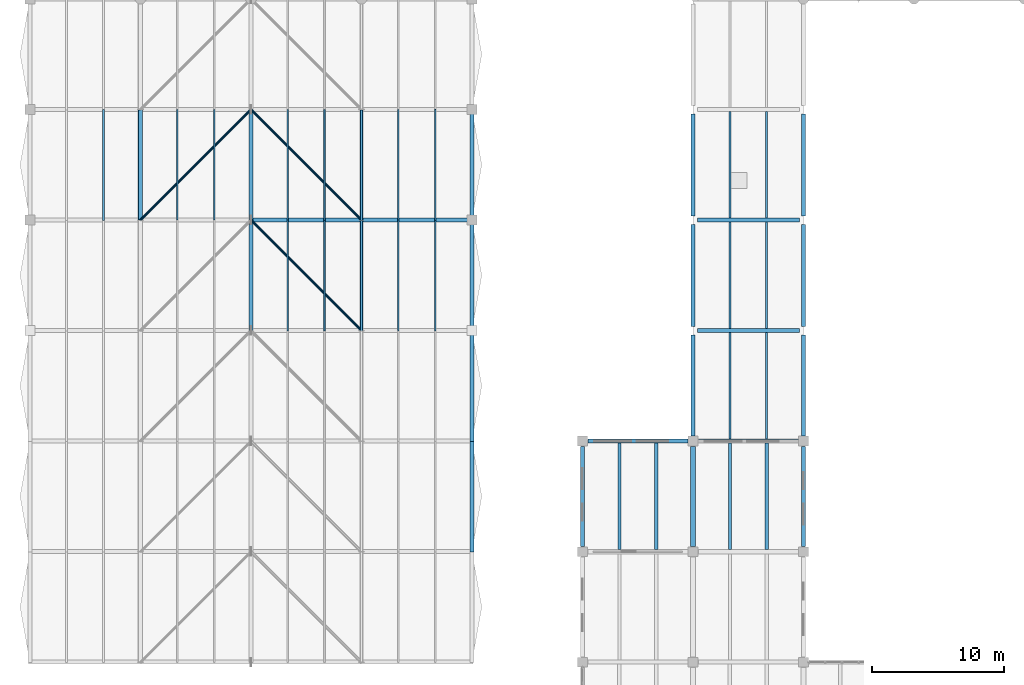
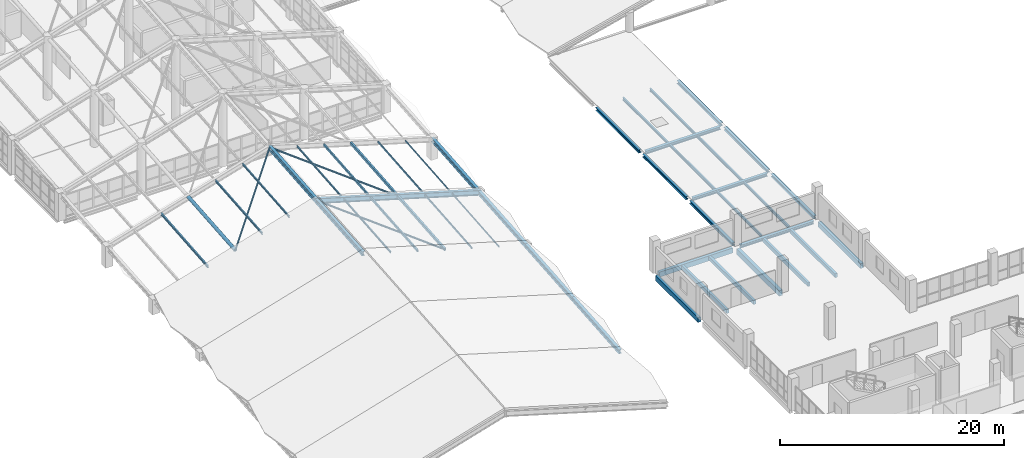
# One storey, part 14 of 95: 24 members, 23 beams.
"""IFC4 building model written with IfcOpenShell, lengths in metres."""

from ifc_helpers import new_model, si_unit, direction, frame, origin, origin_2d, place, context, subcontext, project, spatial, rectangle, hollow_rectangle, hollow_circle, i_section, extrude, material, material_profile, profile_set, type_object, element, save


model = new_model("IFC4")

# Units and contexts
model_context = context("Model", 3, precision=1e-05, world=origin(), true_north=direction((0.0, 1.0)))
body_context = subcontext(model_context, "Body", "Model", "MODEL_VIEW")
ifc_project = project(units=[si_unit("LENGTHUNIT", "METRE"), si_unit("AREAUNIT", "SQUARE_METRE"), si_unit("VOLUMEUNIT", "CUBIC_METRE"), si_unit("PLANEANGLEUNIT", "RADIAN"), si_unit("MASSUNIT", "GRAM", prefix="KILO"), si_unit("THERMODYNAMICTEMPERATUREUNIT", "KELVIN"), si_unit("POWERUNIT", "WATT")], contexts=[model_context])

# Site, building, storey
site_placement = place(None, origin())
site = spatial("IfcSite", under=ifc_project, at=site_placement, CompositionType="ELEMENT")
building_placement = place(site_placement, origin())
building = spatial("IfcBuilding", under=site, at=building_placement, Name="Mavoryth Pier Ferry Terminal", CompositionType="ELEMENT")
storey_placement = place(building_placement, frame((0.0, 0.0, 9.60009765625)))
storey = spatial("IfcBuildingStorey", under=building, at=storey_placement, Name="L02", CompositionType="ELEMENT", Elevation=9.60009765625)

# Beams
ifc_material_1 = material(Name="Steel S355J2", Category="steel")
ifc_material_profile_1 = material_profile(ifc_material_1, i_section(OverallWidth=0.300048828125, OverallDepth=0.330078125, WebThickness=0.009521484375, FlangeThickness=0.0166015625, FilletRadius=0.027099609375, at=origin_2d()), Name="HEA 340", Category="steel")
ifc_profile_set_1 = profile_set([ifc_material_profile_1], Name="Steel S355J2 - HEA 340")
beam_type_1 = type_object("IfcBeamType", Name="Beam-Steel-HEA340", PredefinedType="BEAM", material=ifc_profile_set_1)
for number, where, z_axis, x_axis, name in (
    (1, (50.72509765625, 47.199951171875, -0.3251953125), (1.0, 0.0, 0.0), (0.0, 1.0, 0.0), "Beam B02-SB05-0698"),
    (2, (50.72509765625, 55.60009765625, -0.3251953125), (1.0, 0.0, 0.0), (0.0, 1.0, 0.0), "Beam B02-SB05-0699"),
):
    element("IfcBeam", number, at=place(storey_placement, frame(where, z_axis=z_axis, x_axis=x_axis)), inside=storey, type_object=beam_type_1, Name=name, PredefinedType="BEAM", context=body_context, shape_type="SweptSolid", body=[
        extrude(i_section(OverallWidth=0.300048828125, OverallDepth=0.330078125, WebThickness=0.009521484375, FlangeThickness=0.0166015625, FilletRadius=0.027099609375, at=origin_2d()), origin(), (0.0, 0.0, 1.0), 7.75),
    ])

# Members
ifc_material_profile_2 = material_profile(ifc_material_1, hollow_circle(Radius=0.096923828125, WallThickness=0.010009765625, at=origin_2d()), Name="CHS 193.7x10.0", Category="steel")
ifc_profile_set_2 = profile_set([ifc_material_profile_2], Name="Steel S355J2 - CHS 193.7x10.0")
member_type_1 = type_object("IfcMemberType", Name="Brace-Plan-CHS194", PredefinedType="BRACE", material=ifc_profile_set_2)
for number, where, z_axis, x_axis, name in (
    (3, (25.199951171875, 47.199951171875, 3.08447265625), (-0.682868951799, 0.682888799179, 0.259524339177), (-0.707117056885, -0.707096505339, 0.0), "Steel Member MB-L02-0084"),
    (4, (25.199951171875, 55.60009765625, 3.798828125), (-0.682878207153, 0.682878207153, 0.259527856674), (-0.707106781187, -0.707106781187, 0.0), "Steel Member MB-L02-0099"),
):
    element("IfcMember", number, at=place(storey_placement, frame(where, z_axis=z_axis, x_axis=x_axis)), inside=storey, type_object=member_type_1, Name=name, PredefinedType="BRACE", context=body_context, shape_type="SweptSolid", body=[
        extrude(hollow_circle(Radius=0.096923828125, WallThickness=0.010009765625, at=origin_2d()), origin(), (0.0, 0.0, 1.0), 12.30078125),
    ])
ifc_material_profile_3 = material_profile(ifc_material_1, hollow_circle(Radius=0.084228515625, WallThickness=0.008056640625, at=origin_2d()), Name="CHS 168.3x8.0", Category="steel")
ifc_profile_set_3 = profile_set([ifc_material_profile_3], Name="Steel S355J2 - CHS 168.3x8.0")
member_type_2 = type_object("IfcMemberType", Name="Brace-Roof-CHS168", PredefinedType="BRACE", material=ifc_profile_set_3)
member_1_placement = place(storey_placement, frame((8.39990234375, 55.60009765625, 3.798828125), z_axis=(0.682888799179, 0.682868951799, 0.259524339177), x_axis=(-0.707096505339, 0.707117056885, 0.0)))
element("IfcMember", 5, at=member_1_placement, inside=storey, type_object=member_type_2, Name="Steel Member MB-L02-0098", PredefinedType="BRACE", context=body_context, shape_type="SweptSolid", body=[
    extrude(hollow_circle(Radius=0.084228515625, WallThickness=0.008056640625, at=origin_2d()), origin(), (0.0, 0.0, 1.0), 12.30078125),
])
ifc_material_profile_4 = material_profile(ifc_material_1, i_section(OverallWidth=0.300048828125, OverallDepth=0.449951171875, WebThickness=0.013916015625, FlangeThickness=0.02587890625, FilletRadius=0.027099609375, at=origin_2d()), Name="HEB 450", Category="steel")
ifc_profile_set_4 = profile_set([ifc_material_profile_4], Name="Steel S355J2 - HEB 450")
member_type_3 = type_object("IfcMemberType", Name="Chord-Eave-HEB450", PredefinedType="CHORD", material=ifc_profile_set_4)
member_2_placement = place(storey_placement, frame((33.60009765625, 30.39990234375, -0.842529296875), z_axis=(0.0, 0.996403523637, 0.084734987362), x_axis=(-1.0, 0.0, 0.0)))
element("IfcMember", 6, at=member_2_placement, inside=storey, type_object=member_type_3, Name="Steel Member MB-L02-0042", PredefinedType="CHORD", context=body_context, shape_type="SweptSolid", body=[
    extrude(i_section(OverallWidth=0.300048828125, OverallDepth=0.449951171875, WebThickness=0.013916015625, FlangeThickness=0.02587890625, FilletRadius=0.027099609375, at=origin_2d()), origin(), (0.0, 0.0, 1.0), 8.430419921875),
])
member_3_placement = place(storey_placement, frame((33.60009765625, 38.800048828125, -0.128173828125), z_axis=(0.0, 0.9964033157, 0.084737432475), x_axis=(-1.0, 0.0, 0.0)))
element("IfcMember", 7, at=member_3_placement, inside=storey, type_object=member_type_3, Name="Steel Member MB-L02-0057", PredefinedType="CHORD", context=body_context, shape_type="SweptSolid", body=[
    extrude(i_section(OverallWidth=0.300048828125, OverallDepth=0.449951171875, WebThickness=0.013916015625, FlangeThickness=0.02587890625, FilletRadius=0.027099609375, at=origin_2d()), origin(), (0.0, 0.0, 1.0), 8.43017578125),
])
member_4_placement = place(storey_placement, frame((33.60009765625, 47.199951171875, 0.586181640625), z_axis=(0.0, 0.996403523637, 0.084734987362), x_axis=(-1.0, 0.0, 0.0)))
element("IfcMember", 8, at=member_4_placement, inside=storey, type_object=member_type_3, Name="Steel Member MB-L02-0072", PredefinedType="CHORD", context=body_context, shape_type="SweptSolid", body=[
    extrude(i_section(OverallWidth=0.300048828125, OverallDepth=0.449951171875, WebThickness=0.013916015625, FlangeThickness=0.02587890625, FilletRadius=0.027099609375, at=origin_2d()), origin(), (0.0, 0.0, 1.0), 8.430419921875),
])
member_5_placement = place(storey_placement, frame((33.60009765625, 55.60009765625, 1.300537109375), z_axis=(0.0, 0.9964033157, 0.084737432475), x_axis=(-1.0, 0.0, 0.0)))
element("IfcMember", 9, at=member_5_placement, inside=storey, type_object=member_type_3, Name="Steel Member MB-L02-0087", PredefinedType="CHORD", context=body_context, shape_type="SweptSolid", body=[
    extrude(i_section(OverallWidth=0.300048828125, OverallDepth=0.449951171875, WebThickness=0.013916015625, FlangeThickness=0.02587890625, FilletRadius=0.027099609375, at=origin_2d()), origin(), (0.0, 0.0, 1.0), 8.43017578125),
])
ifc_material_profile_5 = material_profile(ifc_material_1, hollow_rectangle(XDim=0.199951171875, YDim=0.300048828125, WallThickness=0.012451171875, InnerFilletRadius=0.012451171875, OuterFilletRadius=0.02490234375, at=origin_2d()), Name="RHS 300x200x12.5", Category="steel")
ifc_profile_set_5 = profile_set([ifc_material_profile_5], Name="Steel S355J2 - RHS 300x200x12.5")
member_type_4 = type_object("IfcMemberType", Name="Chord-Edge-RHS300", PredefinedType="CHORD", material=ifc_profile_set_5)
member_6_placement = place(storey_placement, frame((25.199951171875, 47.199951171875, 3.08447265625), z_axis=(0.0, 0.996403523637, 0.084734987362), x_axis=(-1.0, 0.0, 0.0)))
element("IfcMember", 10, at=member_6_placement, inside=storey, type_object=member_type_4, Name="Steel Member MB-L02-0074", PredefinedType="CHORD", context=body_context, shape_type="SweptSolid", body=[
    extrude(hollow_rectangle(XDim=0.199951171875, YDim=0.300048828125, WallThickness=0.012451171875, InnerFilletRadius=0.012451171875, OuterFilletRadius=0.02490234375, at=origin_2d()), origin(), (0.0, 0.0, 1.0), 8.430419921875),
])
member_7_placement = place(storey_placement, frame((25.199951171875, 55.60009765625, 3.798828125), z_axis=(0.0, 0.9964033157, 0.084737432475), x_axis=(-1.0, 0.0, 0.0)))
element("IfcMember", 11, at=member_7_placement, inside=storey, type_object=member_type_4, Name="Steel Member MB-L02-0089", PredefinedType="CHORD", context=body_context, shape_type="SweptSolid", body=[
    extrude(hollow_rectangle(XDim=0.199951171875, YDim=0.300048828125, WallThickness=0.012451171875, InnerFilletRadius=0.012451171875, OuterFilletRadius=0.02490234375, at=origin_2d()), origin(), (0.0, 0.0, 1.0), 8.43017578125),
])
ifc_material_profile_6 = material_profile(ifc_material_1, i_section(OverallWidth=0.300048828125, OverallDepth=0.489990234375, WebThickness=0.011962890625, FlangeThickness=0.02294921875, FilletRadius=0.027099609375, at=origin_2d()), Name="HEA 500", Category="steel")
ifc_profile_set_6 = profile_set([ifc_material_profile_6], Name="Steel S355J2 - HEA 500")
member_type_5 = type_object("IfcMemberType", Name="Chord-Ridge-HEA500", PredefinedType="CHORD", material=ifc_profile_set_6)
member_8_placement = place(storey_placement, frame((16.800048828125, 47.199951171875, 5.5625), z_axis=(0.0, 0.996403523637, 0.084734987362), x_axis=(-1.0, 0.0, 0.0)))
element("IfcMember", 12, at=member_8_placement, inside=storey, type_object=member_type_5, Name="Steel Member MB-L02-0071", PredefinedType="CHORD", context=body_context, shape_type="SweptSolid", body=[
    extrude(i_section(OverallWidth=0.300048828125, OverallDepth=0.489990234375, WebThickness=0.011962890625, FlangeThickness=0.02294921875, FilletRadius=0.027099609375, at=origin_2d()), origin(), (0.0, 0.0, 1.0), 8.430419921875),
])
member_9_placement = place(storey_placement, frame((16.800048828125, 55.60009765625, 6.27685546875), z_axis=(0.0, 0.9964033157, 0.084737432475), x_axis=(-1.0, 0.0, 0.0)))
element("IfcMember", 13, at=member_9_placement, inside=storey, type_object=member_type_5, Name="Steel Member MB-L02-0086", PredefinedType="CHORD", context=body_context, shape_type="SweptSolid", body=[
    extrude(i_section(OverallWidth=0.300048828125, OverallDepth=0.489990234375, WebThickness=0.011962890625, FlangeThickness=0.02294921875, FilletRadius=0.027099609375, at=origin_2d()), origin(), (0.0, 0.0, 1.0), 8.43017578125),
])
ifc_material_profile_7 = material_profile(ifc_material_1, hollow_circle(Radius=0.177734375, WallThickness=0.01611328125, at=origin_2d()), Name="CHS 355.6x16.0", Category="steel")
ifc_profile_set_7 = profile_set([ifc_material_profile_7], Name="Steel S355J2 - CHS 355.6x16.0")
member_type_6 = type_object("IfcMemberType", Name="Chord-Valley-CHS356", PredefinedType="CHORD", material=ifc_profile_set_7)
member_10_placement = place(storey_placement, frame((8.39990234375, 55.60009765625, 3.798828125), z_axis=(0.0, 0.9964033157, 0.084737432475), x_axis=(-1.0, 0.0, 0.0)))
element("IfcMember", 14, at=member_10_placement, inside=storey, type_object=member_type_6, Name="Steel Member MB-L02-0088", PredefinedType="CHORD", context=body_context, shape_type="SweptSolid", body=[
    extrude(hollow_circle(Radius=0.177734375, WallThickness=0.01611328125, at=origin_2d()), origin(), (0.0, 0.0, 1.0), 8.43017578125),
])

# Beams
ifc_material_2 = material(Name="Concrete C35/45", Category="concrete")
ifc_material_profile_8 = material_profile(ifc_material_2, rectangle(XDim=0.35009765625, YDim=0.60009765625, at=origin_2d()), Name="RC 350x600", Category="concrete")
ifc_profile_set_8 = profile_set([ifc_material_profile_8], Name="Concrete C35/45 - RC 350x600")
beam_type_2 = type_object("IfcBeamType", Name="Girder-RC-350x600", PredefinedType="BEAM", material=ifc_profile_set_8)
beam_1_placement = place(storey_placement, frame((50.39990234375, 30.800048828125, -0.56005859375), z_axis=(0.0, 1.0, 0.0), x_axis=(-1.0, 0.0, 0.0)))
element("IfcBeam", 15, at=beam_1_placement, inside=storey, type_object=beam_type_2, Name="Beam B02-BG08-1034", PredefinedType="BEAM", context=body_context, shape_type="SweptSolid", body=[
    extrude(rectangle(XDim=0.35009765625, YDim=0.60009765625, at=origin_2d()), origin(), (0.0, 0.0, 1.0), 7.599853515625),
])
ifc_material_profile_9 = material_profile(ifc_material_2, rectangle(XDim=0.239990234375, YDim=0.419921875, at=origin_2d()), Name="RC 240x420", Category="concrete")
ifc_profile_set_9 = profile_set([ifc_material_profile_9], Name="Concrete C35/45 - RC 240x420")
beam_type_3 = type_object("IfcBeamType", Name="Joist-RC-240x420", PredefinedType="JOIST", material=ifc_profile_set_9)
for number, where, z_axis, x_axis, name in (
    (16, (44.800048828125, 30.574951171875, -0.47021484375), (0.0, 1.0, 0.0), (-1.0, 0.0, 0.0), "Beam B02-BJ04-1039"),
    (17, (47.60009765625, 30.574951171875, -0.47021484375), (0.0, 1.0, 0.0), (-1.0, 0.0, 0.0), "Beam B02-BJ04-1040"),
    (18, (53.199951171875, 30.574951171875, -0.47021484375), (0.0, 1.0, 0.0), (-1.0, 0.0, 0.0), "Beam B02-BJ04-1043"),
    (19, (56.0, 30.574951171875, -0.47021484375), (0.0, 1.0, 0.0), (-1.0, 0.0, 0.0), "Beam B02-BJ04-1044"),
):
    element("IfcBeam", number, at=place(storey_placement, frame(where, z_axis=z_axis, x_axis=x_axis)), inside=storey, type_object=beam_type_3, Name=name, PredefinedType="JOIST", context=body_context, shape_type="SweptSolid", body=[
        extrude(rectangle(XDim=0.239990234375, YDim=0.419921875, at=origin_2d()), origin(), (0.0, 0.0, 1.0), 8.074951171875),
    ])
ifc_material_profile_10 = material_profile(ifc_material_1, i_section(OverallWidth=0.14990234375, OverallDepth=0.300048828125, WebThickness=0.007080078125, FlangeThickness=0.0107421875, FilletRadius=0.014892578125, at=origin_2d()), Name="IPE 300", Category="steel")
ifc_profile_set_10 = profile_set([ifc_material_profile_10], Name="Steel S355J2 - IPE 300")
beam_type_4 = type_object("IfcBeamType", Name="Joist-Steel-IPE300", PredefinedType="JOIST", material=ifc_profile_set_10)
for number, where, z_axis, x_axis, name in (
    (20, (53.199951171875, 38.949951171875, -0.31005859375), (0.0, 1.0, 0.0), (-1.0, 0.0, 0.0), "Beam B02-SJ04-0710"),
    (21, (56.0, 38.949951171875, -0.31005859375), (0.0, 1.0, 0.0), (-1.0, 0.0, 0.0), "Beam B02-SJ04-0711"),
):
    element("IfcBeam", number, at=place(storey_placement, frame(where, z_axis=z_axis, x_axis=x_axis)), inside=storey, type_object=beam_type_4, Name=name, PredefinedType="JOIST", context=body_context, shape_type="SweptSolid", body=[
        extrude(i_section(OverallWidth=0.14990234375, OverallDepth=0.300048828125, WebThickness=0.007080078125, FlangeThickness=0.0107421875, FilletRadius=0.014892578125, at=origin_2d()), origin(), (0.0, 0.0, 1.0), 8.10009765625),
    ])
for number, where, z_axis, x_axis, name in (
    (22, (53.199951171875, 47.35009765625, -0.31005859375), (0.0, 1.0, 0.0), (-1.0, 0.0, 0.0), "Beam B02-SJ04-0712"),
    (23, (56.0, 47.35009765625, -0.31005859375), (0.0, 1.0, 0.0), (-1.0, 0.0, 0.0), "Beam B02-SJ04-0713"),
):
    element("IfcBeam", number, at=place(storey_placement, frame(where, z_axis=z_axis, x_axis=x_axis)), inside=storey, type_object=beam_type_4, Name=name, PredefinedType="JOIST", context=body_context, shape_type="SweptSolid", body=[
        extrude(i_section(OverallWidth=0.14990234375, OverallDepth=0.300048828125, WebThickness=0.007080078125, FlangeThickness=0.0107421875, FilletRadius=0.014892578125, at=origin_2d()), origin(), (0.0, 0.0, 1.0), 8.099853515625),
    ])
for number, where, z_axis, x_axis, name in (
    (24, (53.199951171875, 55.75, -0.31005859375), (0.0, 1.0, 0.0), (-1.0, 0.0, 0.0), "Beam B02-SJ04-0714"),
    (25, (56.0, 55.75, -0.31005859375), (0.0, 1.0, 0.0), (-1.0, 0.0, 0.0), "Beam B02-SJ04-0715"),
):
    element("IfcBeam", number, at=place(storey_placement, frame(where, z_axis=z_axis, x_axis=x_axis)), inside=storey, type_object=beam_type_4, Name=name, PredefinedType="JOIST", context=body_context, shape_type="SweptSolid", body=[
        extrude(i_section(OverallWidth=0.14990234375, OverallDepth=0.300048828125, WebThickness=0.007080078125, FlangeThickness=0.0107421875, FilletRadius=0.014892578125, at=origin_2d()), origin(), (0.0, 0.0, 1.0), 8.10009765625),
    ])

# Members
ifc_material_profile_11 = material_profile(ifc_material_1, i_section(OverallWidth=0.10009765625, OverallDepth=0.199951171875, WebThickness=0.005615234375, FlangeThickness=0.008544921875, FilletRadius=0.011962890625, at=origin_2d()), Name="IPE 200", Category="steel")
ifc_profile_set_11 = profile_set([ifc_material_profile_11], Name="Steel S355J2 - IPE 200")
member_type_7 = type_object("IfcMemberType", Name="Purlin-Roof-IPE200", PredefinedType="PURLIN", material=ifc_profile_set_11)
member_11_placement = place(storey_placement, frame((19.60009765625, 47.199951171875, 4.72998046875), z_axis=(0.0, 0.996403523637, 0.084734987362), x_axis=(-1.0, 0.0, 0.0)))
element("IfcMember", 26, at=member_11_placement, inside=storey, type_object=member_type_7, Name="Steel Member MB-L02-0079", PredefinedType="PURLIN", context=body_context, shape_type="SweptSolid", body=[
    extrude(i_section(OverallWidth=0.10009765625, OverallDepth=0.199951171875, WebThickness=0.005615234375, FlangeThickness=0.008544921875, FilletRadius=0.011962890625, at=origin_2d()), origin(), (0.0, 0.0, 1.0), 8.430419921875),
])
member_12_placement = place(storey_placement, frame((19.60009765625, 55.60009765625, 5.4443359375), z_axis=(0.0, 0.9964033157, 0.084737432475), x_axis=(-1.0, 0.0, 0.0)))
element("IfcMember", 27, at=member_12_placement, inside=storey, type_object=member_type_7, Name="Steel Member MB-L02-0094", PredefinedType="PURLIN", context=body_context, shape_type="SweptSolid", body=[
    extrude(i_section(OverallWidth=0.10009765625, OverallDepth=0.199951171875, WebThickness=0.005615234375, FlangeThickness=0.008544921875, FilletRadius=0.011962890625, at=origin_2d()), origin(), (0.0, 0.0, 1.0), 8.43017578125),
])
ifc_material_profile_12 = material_profile(ifc_material_1, i_section(OverallWidth=0.110107421875, OverallDepth=0.219970703125, WebThickness=0.005859375, FlangeThickness=0.00927734375, FilletRadius=0.011962890625, at=origin_2d()), Name="IPE 220", Category="steel")
ifc_profile_set_12 = profile_set([ifc_material_profile_12], Name="Steel S355J2 - IPE 220")
member_type_8 = type_object("IfcMemberType", Name="Purlin-Roof-IPE220", PredefinedType="PURLIN", material=ifc_profile_set_12)
member_13_placement = place(storey_placement, frame((14.0, 55.60009765625, 5.4443359375), z_axis=(0.0, 0.9964033157, 0.084737432475), x_axis=(-1.0, 0.0, 0.0)))
element("IfcMember", 28, at=member_13_placement, inside=storey, type_object=member_type_8, Name="Steel Member MB-L02-0093", PredefinedType="PURLIN", context=body_context, shape_type="SweptSolid", body=[
    extrude(i_section(OverallWidth=0.110107421875, OverallDepth=0.219970703125, WebThickness=0.005859375, FlangeThickness=0.00927734375, FilletRadius=0.011962890625, at=origin_2d()), origin(), (0.0, 0.0, 1.0), 8.43017578125),
])
ifc_material_profile_13 = material_profile(ifc_material_1, i_section(OverallWidth=0.1201171875, OverallDepth=0.239990234375, WebThickness=0.006103515625, FlangeThickness=0.009765625, FilletRadius=0.014892578125, at=origin_2d()), Name="IPE 240", Category="steel")
ifc_profile_set_13 = profile_set([ifc_material_profile_13], Name="Steel S355J2 - IPE 240")
member_type_9 = type_object("IfcMemberType", Name="Purlin-Roof-IPE240", PredefinedType="PURLIN", material=ifc_profile_set_13)
member_14_placement = place(storey_placement, frame((11.199951171875, 55.60009765625, 4.611572265625), z_axis=(0.0, 0.9964033157, 0.084737432475), x_axis=(-1.0, 0.0, 0.0)))
element("IfcMember", 29, at=member_14_placement, inside=storey, type_object=member_type_9, Name="Steel Member MB-L02-0092", PredefinedType="PURLIN", context=body_context, shape_type="SweptSolid", body=[
    extrude(i_section(OverallWidth=0.1201171875, OverallDepth=0.239990234375, WebThickness=0.006103515625, FlangeThickness=0.009765625, FilletRadius=0.014892578125, at=origin_2d()), origin(), (0.0, 0.0, 1.0), 8.43017578125),
])
ifc_material_profile_14 = material_profile(ifc_material_1, i_section(OverallWidth=0.135009765625, OverallDepth=0.27001953125, WebThickness=0.006591796875, FlangeThickness=0.01025390625, FilletRadius=0.014892578125, at=origin_2d()), Name="IPE 270", Category="steel")
ifc_profile_set_14 = profile_set([ifc_material_profile_14], Name="Steel S355J2 - IPE 270")
member_type_10 = type_object("IfcMemberType", Name="Purlin-Roof-IPE270", PredefinedType="PURLIN", material=ifc_profile_set_14)
member_15_placement = place(storey_placement, frame((5.60009765625, 55.60009765625, 2.946044921875), z_axis=(0.0, 0.9964033157, 0.084737432475), x_axis=(-1.0, 0.0, 0.0)))
element("IfcMember", 30, at=member_15_placement, inside=storey, type_object=member_type_10, Name="Steel Member MB-L02-0091", PredefinedType="PURLIN", context=body_context, shape_type="SweptSolid", body=[
    extrude(i_section(OverallWidth=0.135009765625, OverallDepth=0.27001953125, WebThickness=0.006591796875, FlangeThickness=0.01025390625, FilletRadius=0.014892578125, at=origin_2d()), origin(), (0.0, 0.0, 1.0), 8.43017578125),
])
ifc_material_profile_15 = material_profile(ifc_material_1, hollow_rectangle(XDim=0.080078125, YDim=0.159912109375, WallThickness=0.00634765625, InnerFilletRadius=0.00634765625, OuterFilletRadius=0.0126953125, at=origin_2d()), Name="RHS 160x80x6.3", Category="steel")
ifc_profile_set_15 = profile_set([ifc_material_profile_15], Name="Steel S355J2 - RHS 160x80x6.3")
member_type_11 = type_object("IfcMemberType", Name="Purlin-Tube-RHS160", PredefinedType="PURLIN", material=ifc_profile_set_15)
member_16_placement = place(storey_placement, frame((30.800048828125, 47.199951171875, 1.39892578125), z_axis=(0.0, 0.996403523637, 0.084734987362), x_axis=(-1.0, 0.0, 0.0)))
element("IfcMember", 31, at=member_16_placement, inside=storey, type_object=member_type_11, Name="Steel Member MB-L02-0082", PredefinedType="PURLIN", context=body_context, shape_type="SweptSolid", body=[
    extrude(hollow_rectangle(XDim=0.080078125, YDim=0.159912109375, WallThickness=0.00634765625, InnerFilletRadius=0.00634765625, OuterFilletRadius=0.0126953125, at=origin_2d()), origin(), (0.0, 0.0, 1.0), 8.430419921875),
])
member_17_placement = place(storey_placement, frame((30.800048828125, 55.60009765625, 2.11328125), z_axis=(0.0, 0.9964033157, 0.084737432475), x_axis=(-1.0, 0.0, 0.0)))
element("IfcMember", 32, at=member_17_placement, inside=storey, type_object=member_type_11, Name="Steel Member MB-L02-0097", PredefinedType="PURLIN", context=body_context, shape_type="SweptSolid", body=[
    extrude(hollow_rectangle(XDim=0.080078125, YDim=0.159912109375, WallThickness=0.00634765625, InnerFilletRadius=0.00634765625, OuterFilletRadius=0.0126953125, at=origin_2d()), origin(), (0.0, 0.0, 1.0), 8.43017578125),
])
ifc_material_profile_16 = material_profile(ifc_material_1, hollow_rectangle(XDim=0.10009765625, YDim=0.199951171875, WallThickness=0.008056640625, InnerFilletRadius=0.008056640625, OuterFilletRadius=0.01611328125, at=origin_2d()), Name="RHS 200x100x8.0", Category="steel")
ifc_profile_set_16 = profile_set([ifc_material_profile_16], Name="Steel S355J2 - RHS 200x100x8.0")
member_type_12 = type_object("IfcMemberType", Name="Purlin-Tube-RHS200", PredefinedType="PURLIN", material=ifc_profile_set_16)
member_18_placement = place(storey_placement, frame((28.0, 47.199951171875, 2.231689453125), z_axis=(0.0, 0.996403523637, 0.084734987362), x_axis=(-1.0, 0.0, 0.0)))
element("IfcMember", 33, at=member_18_placement, inside=storey, type_object=member_type_12, Name="Steel Member MB-L02-0081", PredefinedType="PURLIN", context=body_context, shape_type="SweptSolid", body=[
    extrude(hollow_rectangle(XDim=0.10009765625, YDim=0.199951171875, WallThickness=0.008056640625, InnerFilletRadius=0.008056640625, OuterFilletRadius=0.01611328125, at=origin_2d()), origin(), (0.0, 0.0, 1.0), 8.430419921875),
])
member_19_placement = place(storey_placement, frame((28.0, 55.60009765625, 2.946044921875), z_axis=(0.0, 0.9964033157, 0.084737432475), x_axis=(-1.0, 0.0, 0.0)))
element("IfcMember", 34, at=member_19_placement, inside=storey, type_object=member_type_12, Name="Steel Member MB-L02-0096", PredefinedType="PURLIN", context=body_context, shape_type="SweptSolid", body=[
    extrude(hollow_rectangle(XDim=0.10009765625, YDim=0.199951171875, WallThickness=0.008056640625, InnerFilletRadius=0.008056640625, OuterFilletRadius=0.01611328125, at=origin_2d()), origin(), (0.0, 0.0, 1.0), 8.43017578125),
])
ifc_material_profile_17 = material_profile(ifc_material_1, hollow_rectangle(XDim=0.14990234375, YDim=0.25, WallThickness=0.010009765625, InnerFilletRadius=0.010009765625, OuterFilletRadius=0.02001953125, at=origin_2d()), Name="RHS 250x150x10.0", Category="steel")
ifc_profile_set_17 = profile_set([ifc_material_profile_17], Name="Steel S355J2 - RHS 250x150x10.0")
member_type_13 = type_object("IfcMemberType", Name="Purlin-Tube-RHS250", PredefinedType="PURLIN", material=ifc_profile_set_17)
member_20_placement = place(storey_placement, frame((22.39990234375, 47.199951171875, 3.897216796875), z_axis=(0.0, 0.996403523637, 0.084734987362), x_axis=(-1.0, 0.0, 0.0)))
element("IfcMember", 35, at=member_20_placement, inside=storey, type_object=member_type_13, Name="Steel Member MB-L02-0080", PredefinedType="PURLIN", context=body_context, shape_type="SweptSolid", body=[
    extrude(hollow_rectangle(XDim=0.14990234375, YDim=0.25, WallThickness=0.010009765625, InnerFilletRadius=0.010009765625, OuterFilletRadius=0.02001953125, at=origin_2d()), origin(), (0.0, 0.0, 1.0), 8.430419921875),
])
member_21_placement = place(storey_placement, frame((22.39990234375, 55.60009765625, 4.611572265625), z_axis=(0.0, 0.9964033157, 0.084737432475), x_axis=(-1.0, 0.0, 0.0)))
element("IfcMember", 36, at=member_21_placement, inside=storey, type_object=member_type_13, Name="Steel Member MB-L02-0095", PredefinedType="PURLIN", context=body_context, shape_type="SweptSolid", body=[
    extrude(hollow_rectangle(XDim=0.14990234375, YDim=0.25, WallThickness=0.010009765625, InnerFilletRadius=0.010009765625, OuterFilletRadius=0.02001953125, at=origin_2d()), origin(), (0.0, 0.0, 1.0), 8.43017578125),
])
ifc_material_profile_18 = material_profile(ifc_material_1, i_section(OverallWidth=0.300048828125, OverallDepth=0.550048828125, WebThickness=0.014892578125, FlangeThickness=0.029052734375, FilletRadius=0.027099609375, at=origin_2d()), Name="HEB 550", Category="steel")
ifc_profile_set_18 = profile_set([ifc_material_profile_18], Name="Steel S355J2 - HEB 550")
member_type_14 = type_object("IfcMemberType", Name="Rafter-Folded-HEB550", PredefinedType="RAFTER", material=ifc_profile_set_18)
member_22_placement = place(storey_placement, frame((16.800048828125, 55.60009765625, 6.27685546875), z_axis=(0.958821022036, 0.0, -0.284010999261), x_axis=(0.0, 1.0, 0.0)))
element("IfcMember", 37, at=member_22_placement, inside=storey, type_object=member_type_14, Name="Steel Member MB-L02-0010", PredefinedType="RAFTER", context=body_context, shape_type="SweptSolid", body=[
    extrude(i_section(OverallWidth=0.300048828125, OverallDepth=0.550048828125, WebThickness=0.014892578125, FlangeThickness=0.029052734375, FilletRadius=0.027099609375, at=origin_2d()), origin(), (0.0, 0.0, 1.0), 17.521484375),
])

# Beams
ifc_material_profile_19 = material_profile(ifc_material_2, rectangle(XDim=0.300048828125, YDim=0.5400390625, at=origin_2d()), Name="RC 300x540", Category="concrete")
ifc_profile_set_19 = profile_set([ifc_material_profile_19], Name="Concrete C35/45 - RC 300x540")
beam_type_5 = type_object("IfcBeamType", Name="Spandrel-RC-300x540", PredefinedType="SPANDREL", material=ifc_profile_set_19)
beam_2_placement = place(storey_placement, frame((42.39990234375, 38.800048828125, -0.530029296875), z_axis=(1.0, 0.0, 0.0), x_axis=(0.0, 1.0, 0.0)))
element("IfcBeam", 38, at=beam_2_placement, inside=storey, type_object=beam_type_5, Name="Beam B02-SP02-1030", PredefinedType="SPANDREL", context=body_context, shape_type="SweptSolid", body=[
    extrude(rectangle(XDim=0.300048828125, YDim=0.5400390625, at=origin_2d()), origin(), (0.0, 0.0, 1.0), 7.60009765625),
])
for number, where, z_axis, x_axis, name in (
    (39, (42.0, 30.800048828125, -0.530029296875), (0.0, 1.0, 0.0), (-1.0, 0.0, 0.0), "Beam B02-SP02-1032"),
    (40, (58.800048828125, 30.800048828125, -0.530029296875), (0.0, 1.0, 0.0), (-1.0, 0.0, 0.0), "Beam B02-SP02-1036"),
):
    element("IfcBeam", number, at=place(storey_placement, frame(where, z_axis=z_axis, x_axis=x_axis)), inside=storey, type_object=beam_type_5, Name=name, PredefinedType="SPANDREL", context=body_context, shape_type="SweptSolid", body=[
        extrude(rectangle(XDim=0.300048828125, YDim=0.5400390625, at=origin_2d()), origin(), (0.0, 0.0, 1.0), 7.599853515625),
    ])
ifc_material_profile_20 = material_profile(ifc_material_1, i_section(OverallWidth=0.300048828125, OverallDepth=0.320068359375, WebThickness=0.011474609375, FlangeThickness=0.0205078125, FilletRadius=0.027099609375, at=origin_2d()), Name="HEB 320", Category="steel")
ifc_profile_set_20 = profile_set([ifc_material_profile_20], Name="Steel S355J2 - HEB 320")
beam_type_6 = type_object("IfcBeamType", Name="Spandrel-Steel-HEB320", PredefinedType="SPANDREL", material=ifc_profile_set_20)
beam_3_placement = place(storey_placement, frame((50.800048828125, 38.800048828125, -0.420166015625), z_axis=(1.0, 0.0, 0.0), x_axis=(0.0, 1.0, 0.0)))
element("IfcBeam", 41, at=beam_3_placement, inside=storey, type_object=beam_type_6, Name="Beam B02-SP04-0697", PredefinedType="SPANDREL", context=body_context, shape_type="SweptSolid", body=[
    extrude(i_section(OverallWidth=0.300048828125, OverallDepth=0.320068359375, WebThickness=0.011474609375, FlangeThickness=0.0205078125, FilletRadius=0.027099609375, at=origin_2d()), origin(), (0.0, 0.0, 1.0), 7.599853515625),
])
beam_4_placement = place(storey_placement, frame((50.39990234375, 39.199951171875, -0.320068359375), z_axis=(0.0, 1.0, 0.0), x_axis=(-1.0, 0.0, 0.0)))
element("IfcBeam", 42, at=beam_4_placement, inside=storey, type_object=beam_type_6, Name="Beam B02-SP04-0702", PredefinedType="SPANDREL", context=body_context, shape_type="SweptSolid", body=[
    extrude(i_section(OverallWidth=0.300048828125, OverallDepth=0.320068359375, WebThickness=0.011474609375, FlangeThickness=0.0205078125, FilletRadius=0.027099609375, at=origin_2d()), origin(), (0.0, 0.0, 1.0), 7.675048828125),
])
for number, where, z_axis, x_axis, name in (
    (43, (50.39990234375, 47.52490234375, -0.320068359375), (0.0, 1.0, 0.0), (-1.0, 0.0, 0.0), "Beam B02-SP04-0703"),
    (44, (50.39990234375, 55.925048828125, -0.320068359375), (0.0, 1.0, 0.0), (-1.0, 0.0, 0.0), "Beam B02-SP04-0704"),
):
    element("IfcBeam", number, at=place(storey_placement, frame(where, z_axis=z_axis, x_axis=x_axis)), inside=storey, type_object=beam_type_6, Name=name, PredefinedType="SPANDREL", context=body_context, shape_type="SweptSolid", body=[
        extrude(i_section(OverallWidth=0.300048828125, OverallDepth=0.320068359375, WebThickness=0.011474609375, FlangeThickness=0.0205078125, FilletRadius=0.027099609375, at=origin_2d()), origin(), (0.0, 0.0, 1.0), 7.75),
    ])
beam_5_placement = place(storey_placement, frame((58.800048828125, 39.199951171875, -0.320068359375), z_axis=(0.0, 1.0, 0.0), x_axis=(-1.0, 0.0, 0.0)))
element("IfcBeam", 45, at=beam_5_placement, inside=storey, type_object=beam_type_6, Name="Beam B02-SP04-0706", PredefinedType="SPANDREL", context=body_context, shape_type="SweptSolid", body=[
    extrude(i_section(OverallWidth=0.300048828125, OverallDepth=0.320068359375, WebThickness=0.011474609375, FlangeThickness=0.0205078125, FilletRadius=0.027099609375, at=origin_2d()), origin(), (0.0, 0.0, 1.0), 7.675048828125),
])
for number, where, z_axis, x_axis, name in (
    (46, (58.800048828125, 47.52490234375, -0.320068359375), (0.0, 1.0, 0.0), (-1.0, 0.0, 0.0), "Beam B02-SP04-0707"),
    (47, (58.800048828125, 55.925048828125, -0.320068359375), (0.0, 1.0, 0.0), (-1.0, 0.0, 0.0), "Beam B02-SP04-0708"),
):
    element("IfcBeam", number, at=place(storey_placement, frame(where, z_axis=z_axis, x_axis=x_axis)), inside=storey, type_object=beam_type_6, Name=name, PredefinedType="SPANDREL", context=body_context, shape_type="SweptSolid", body=[
        extrude(i_section(OverallWidth=0.300048828125, OverallDepth=0.320068359375, WebThickness=0.011474609375, FlangeThickness=0.0205078125, FilletRadius=0.027099609375, at=origin_2d()), origin(), (0.0, 0.0, 1.0), 7.75),
    ])

save(model, "model.ifc")
